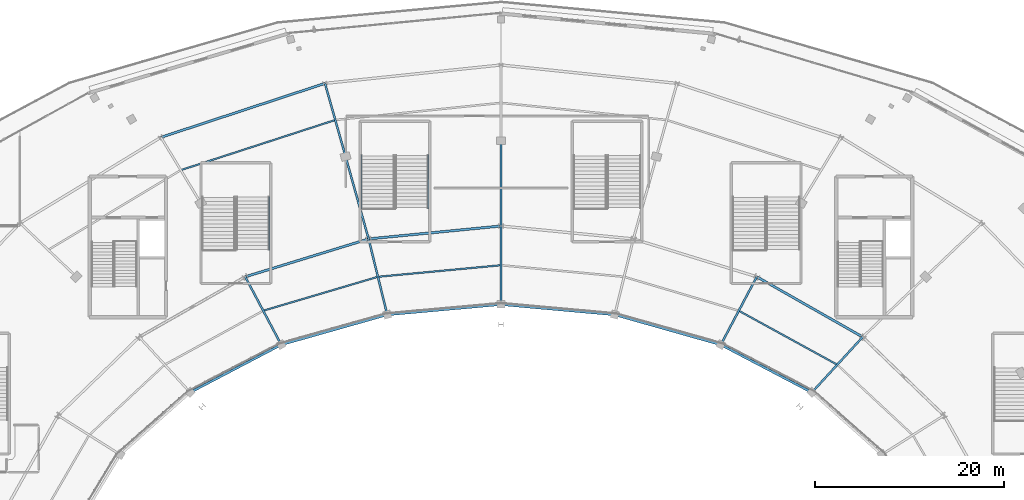
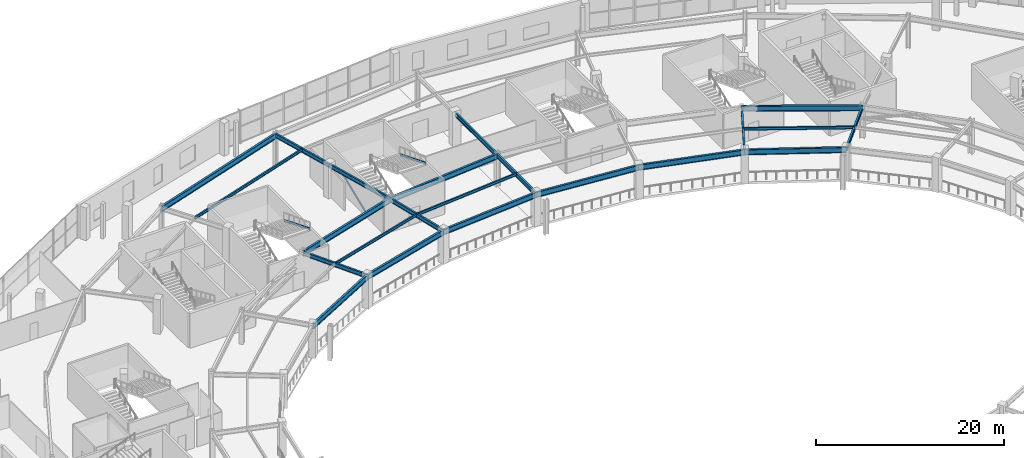
# One storey, part 33 of 107: 22 beams, 3 members.
"""IFC4 building model written with IfcOpenShell, lengths in metres."""

from ifc_helpers import new_model, si_unit, direction, frame, origin, origin_2d, place, context, subcontext, project, spatial, i_section, extrude, material, material_profile, profile_set, type_object, element, save


model = new_model("IFC4")

# Units and contexts
model_context = context("Model", 3, precision=1e-05, world=origin(), true_north=direction((0.0, 1.0)))
body_context = subcontext(model_context, "Body", "Model", "MODEL_VIEW")
ifc_project = project(units=[si_unit("LENGTHUNIT", "METRE"), si_unit("AREAUNIT", "SQUARE_METRE"), si_unit("VOLUMEUNIT", "CUBIC_METRE"), si_unit("PLANEANGLEUNIT", "RADIAN"), si_unit("MASSUNIT", "GRAM", prefix="KILO")], contexts=[model_context])

# Site, building, storey
site_placement = place(None, origin())
site = spatial("IfcSite", under=ifc_project, at=site_placement, CompositionType="ELEMENT")
building_placement = place(site_placement, origin())
building = spatial("IfcBuilding", under=site, at=building_placement, Name="Kalgoora Escarpment Arena", CompositionType="ELEMENT")
storey_placement = place(building_placement, frame((0.0, 0.0, 5.39990234375)))
storey = spatial("IfcBuildingStorey", under=building, at=storey_placement, Name="L01", CompositionType="ELEMENT", Elevation=5.39990234375)

# Beams
ifc_material_1 = material(Name="Structural steel AS/NZS 3679 (300 MPa)", Category="steel")
ifc_material_profile_1 = material_profile(ifc_material_1, i_section(OverallWidth=0.1708984375, OverallDepth=0.35205078125, WebThickness=0.0068359375, FlangeThickness=0.009765625, at=origin_2d()))
ifc_profile_set_1 = profile_set([ifc_material_profile_1], Name="Structural steel AS/NZS 3679 (300 MPa)")
beam_type_1 = type_object("IfcBeamType", Name="BM-BEAM-360UB44.7", PredefinedType="BEAM", material=ifc_profile_set_1)
beam_1_placement = place(storey_placement, frame((127.900390625, 89.35693359375, 4.044189453125), z_axis=(-0.87693223227, 0.480614044744, 0.0), x_axis=(-0.480614044744, -0.87693223227, 0.0)))
element("IfcBeam", 1, at=beam_1_placement, inside=storey, type_object=beam_type_1, Name="L01 Concourse secondary ring beam 360UB44.7", PredefinedType="BEAM", context=body_context, shape_type="SweptSolid", body=[
    extrude(i_section(OverallWidth=0.1708984375, OverallDepth=0.35205078125, WebThickness=0.0068359375, FlangeThickness=0.009765625, at=origin_2d()), origin(), (0.0, 0.0, 1.0), 11.857177734375),
])
beam_2_placement = place(storey_placement, frame((92.39990234375, 99.860107421875, 4.044189453125), z_axis=(-0.995605767353, -0.093643771891, 0.0), x_axis=(0.093643771891, -0.995605767353, 0.0)))
element("IfcBeam", 2, at=beam_2_placement, inside=storey, type_object=beam_type_1, Name="L01 Concourse secondary ring beam 360UB44.7", PredefinedType="BEAM", context=body_context, shape_type="SweptSolid", body=[
    extrude(i_section(OverallWidth=0.1708984375, OverallDepth=0.35205078125, WebThickness=0.0068359375, FlangeThickness=0.009765625, at=origin_2d()), origin(), (0.0, 0.0, 1.0), 13.05126953125),
])
beam_3_placement = place(storey_placement, frame((79.406005859375, 98.637939453125, 4.05419921875), z_axis=(-0.958914478104, -0.283695300775, 0.0), x_axis=(0.283695300775, -0.958914478104, 0.0)))
element("IfcBeam", 3, at=beam_3_placement, inside=storey, type_object=beam_type_1, Name="L01 Concourse secondary ring beam 360UB44.7", PredefinedType="BEAM", context=body_context, shape_type="SweptSolid", body=[
    extrude(i_section(OverallWidth=0.1708984375, OverallDepth=0.35205078125, WebThickness=0.0068359375, FlangeThickness=0.009765625, at=origin_2d()), origin(), (0.0, 0.0, 1.0), 12.627197265625),
])
beam_4_placement = place(storey_placement, frame((74.90380859375, 115.194091796875, 4.05419921875), z_axis=(-0.951103123122, -0.308873516489, 0.0), x_axis=(0.308873516489, -0.951103123122, 0.0)))
element("IfcBeam", 4, at=beam_4_placement, inside=storey, type_object=beam_type_1, Name="L01 Concourse secondary ring beam 360UB44.7", PredefinedType="BEAM", context=body_context, shape_type="SweptSolid", body=[
    extrude(i_section(OverallWidth=0.1708984375, OverallDepth=0.35205078125, WebThickness=0.0068359375, FlangeThickness=0.009765625, at=origin_2d()), origin(), (0.0, 0.0, 1.0), 17.141845703125),
])
ifc_material_2 = material(Name="Structural steel AS/NZS 3679 (300 MPa)", Category="steel")
ifc_material_profile_2 = material_profile(ifc_material_2, i_section(OverallWidth=0.208984375, OverallDepth=0.532958984375, WebThickness=0.01025390625, FlangeThickness=0.015625, at=origin_2d()))
ifc_profile_set_2 = profile_set([ifc_material_profile_2], Name="Structural steel AS/NZS 3679 (300 MPa)")
beam_type_2 = type_object("IfcBeamType", Name="BM-GIRDER-530UB92.4", PredefinedType="USERDEFINED", material=ifc_profile_set_2)
beam_5_placement = place(storey_placement, frame((125.216796875, 86.429443359375, 3.95361328125), z_axis=(0.675731588221, 0.737147760412, 0.0), x_axis=(-0.737147760412, 0.675731588221, 0.0)))
element("IfcBeam", 5, at=beam_5_placement, inside=storey, type_object=beam_type_2, Name="L01 Radial concourse girder 530UB92.4", ObjectType="GIRDER", PredefinedType="USERDEFINED", context=body_context, shape_type="SweptSolid", body=[
    extrude(i_section(OverallWidth=0.208984375, OverallDepth=0.532958984375, WebThickness=0.01025390625, FlangeThickness=0.015625, at=origin_2d()), origin(), (0.0, 0.0, 1.0), 7.9423828125),
])
beam_6_placement = place(storey_placement, frame((115.60498046875, 91.47021484375, 3.95361328125), z_axis=(0.467749454329, 0.883861102196, 0.0), x_axis=(-0.883861102196, 0.467749454329, 0.0)))
element("IfcBeam", 6, at=beam_6_placement, inside=storey, type_object=beam_type_2, Name="L01 Radial concourse girder 530UB92.4", ObjectType="GIRDER", PredefinedType="USERDEFINED", context=body_context, shape_type="SweptSolid", body=[
    extrude(i_section(OverallWidth=0.208984375, OverallDepth=0.532958984375, WebThickness=0.01025390625, FlangeThickness=0.015625, at=origin_2d()), origin(), (0.0, 0.0, 1.0), 8.113037109375),
])
beam_7_placement = place(storey_placement, frame((92.39990234375, 95.719970703125, 3.95361328125), z_axis=(0.0, 1.0, 0.0), x_axis=(-1.0, 0.0, 0.0)))
element("IfcBeam", 7, at=beam_7_placement, inside=storey, type_object=beam_type_2, Name="L01 Radial concourse girder 530UB92.4", ObjectType="GIRDER", PredefinedType="USERDEFINED", context=body_context, shape_type="SweptSolid", body=[
    extrude(i_section(OverallWidth=0.208984375, OverallDepth=0.532958984375, WebThickness=0.01025390625, FlangeThickness=0.015625, at=origin_2d()), origin(), (0.0, 0.0, 1.0), 8.280029296875),
])
beam_8_placement = place(storey_placement, frame((92.39990234375, 104.0, 3.95361328125), z_axis=(0.0, 1.0, 0.0), x_axis=(-1.0, 0.0, 0.0)))
element("IfcBeam", 8, at=beam_8_placement, inside=storey, type_object=beam_type_2, Name="L01 Radial concourse girder 530UB92.4", ObjectType="GIRDER", PredefinedType="USERDEFINED", context=body_context, shape_type="SweptSolid", body=[
    extrude(i_section(OverallWidth=0.208984375, OverallDepth=0.532958984375, WebThickness=0.01025390625, FlangeThickness=0.015625, at=origin_2d()), origin(), (0.0, 0.0, 1.0), 9.0),
])
beam_9_placement = place(storey_placement, frame((80.38818359375, 94.63916015625, 3.963623046875), z_axis=(-0.238522773309, 0.971136904156, 0.0), x_axis=(-0.971136904156, -0.238522773309, 0.0)))
element("IfcBeam", 9, at=beam_9_placement, inside=storey, type_object=beam_type_2, Name="L01 Radial concourse girder 530UB92.4", ObjectType="GIRDER", PredefinedType="USERDEFINED", context=body_context, shape_type="SweptSolid", body=[
    extrude(i_section(OverallWidth=0.208984375, OverallDepth=0.532958984375, WebThickness=0.01025390625, FlangeThickness=0.015625, at=origin_2d()), origin(), (0.0, 0.0, 1.0), 8.235595703125),
])
beam_10_placement = place(storey_placement, frame((78.423828125, 102.636962890625, 3.963623046875), z_axis=(-0.269498512386, 0.963000805722, 0.0), x_axis=(-0.963000805722, -0.269498512386, 0.0)))
element("IfcBeam", 10, at=beam_10_placement, inside=storey, type_object=beam_type_2, Name="L01 Radial concourse girder 530UB92.4", ObjectType="GIRDER", PredefinedType="USERDEFINED", context=body_context, shape_type="SweptSolid", body=[
    extrude(i_section(OverallWidth=0.208984375, OverallDepth=0.532958984375, WebThickness=0.01025390625, FlangeThickness=0.015625, at=origin_2d()), origin(), (0.0, 0.0, 1.0), 9.02734375),
])
beam_11_placement = place(storey_placement, frame((75.990966796875, 111.330322265625, 3.963623046875), z_axis=(-0.27082660355, 0.962628147734, 0.0), x_axis=(-0.962628147734, -0.27082660355, 0.0)))
element("IfcBeam", 11, at=beam_11_placement, inside=storey, type_object=beam_type_2, Name="L01 Radial concourse girder 530UB92.4", ObjectType="GIRDER", PredefinedType="USERDEFINED", context=body_context, shape_type="SweptSolid", body=[
    extrude(i_section(OverallWidth=0.208984375, OverallDepth=0.532958984375, WebThickness=0.01025390625, FlangeThickness=0.015625, at=origin_2d()), origin(), (0.0, 0.0, 1.0), 8.027587890625),
])
beam_12_placement = place(storey_placement, frame((69.195068359375, 91.47021484375, 3.963623046875), z_axis=(-0.467772961987, 0.883848661273, 0.0), x_axis=(-0.883848661273, -0.467772961987, 0.0)))
element("IfcBeam", 12, at=beam_12_placement, inside=storey, type_object=beam_type_2, Name="L01 Radial concourse girder 530UB92.4", ObjectType="GIRDER", PredefinedType="USERDEFINED", context=body_context, shape_type="SweptSolid", body=[
    extrude(i_section(OverallWidth=0.208984375, OverallDepth=0.532958984375, WebThickness=0.01025390625, FlangeThickness=0.015625, at=origin_2d()), origin(), (0.0, 0.0, 1.0), 8.11328125),
])
ifc_material_3 = material(Name="Structural steel AS/NZS 3679 (300 MPa)", Category="steel")
ifc_material_profile_3 = material_profile(ifc_material_3, i_section(OverallWidth=0.25, OverallDepth=0.699951171875, WebThickness=0.010009765625, FlangeThickness=0.02001953125, at=origin_2d()))
ifc_profile_set_3 = profile_set([ifc_material_profile_3], Name="Structural steel AS/NZS 3679 (300 MPa)")
beam_type_3 = type_object("IfcBeamType", Name="BM-GIRDER-700WB130", PredefinedType="USERDEFINED", material=ifc_profile_set_3)
beam_13_placement = place(storey_placement, frame((125.216796875, 86.429443359375, 3.8701171875), z_axis=(-0.88560380316, 0.464441496669, 0.0), x_axis=(-0.464441496669, -0.88560380316, 0.0)))
element("IfcBeam", 13, at=beam_13_placement, inside=storey, type_object=beam_type_3, Name="L01 Circumferential concourse girder RMID 700WB130", ObjectType="GIRDER", PredefinedType="USERDEFINED", context=body_context, shape_type="SweptSolid", body=[
    extrude(i_section(OverallWidth=0.25, OverallDepth=0.699951171875, WebThickness=0.010009765625, FlangeThickness=0.02001953125, at=origin_2d()), origin(), (0.0, 0.0, 1.0), 10.853515625),
])
beam_14_placement = place(storey_placement, frame((130.583740234375, 92.2841796875, 3.8701171875), z_axis=(-0.869373733104, 0.494155149917, 0.0), x_axis=(-0.494155149917, -0.869373733104, 0.0)))
element("IfcBeam", 14, at=beam_14_placement, inside=storey, type_object=beam_type_3, Name="L01 Circumferential concourse girder RMAIN 700WB130", ObjectType="GIRDER", PredefinedType="USERDEFINED", context=body_context, shape_type="SweptSolid", body=[
    extrude(i_section(OverallWidth=0.25, OverallDepth=0.699951171875, WebThickness=0.010009765625, FlangeThickness=0.02001953125, at=origin_2d()), origin(), (0.0, 0.0, 1.0), 12.8642578125),
])
beam_15_placement = place(storey_placement, frame((115.60498046875, 91.47021484375, 3.8701171875), z_axis=(-0.962181658824, 0.272408618482, 0.0), x_axis=(-0.272408618482, -0.962181658824, 0.0)))
element("IfcBeam", 15, at=beam_15_placement, inside=storey, type_object=beam_type_3, Name="L01 Circumferential concourse girder RMID 700WB130", ObjectType="GIRDER", PredefinedType="USERDEFINED", context=body_context, shape_type="SweptSolid", body=[
    extrude(i_section(OverallWidth=0.25, OverallDepth=0.699951171875, WebThickness=0.010009765625, FlangeThickness=0.02001953125, at=origin_2d()), origin(), (0.0, 0.0, 1.0), 11.633056640625),
])
beam_16_placement = place(storey_placement, frame((104.411865234375, 94.63916015625, 3.8701171875), z_axis=(-0.995976408486, 0.089615811881, 0.0), x_axis=(-0.089615811881, -0.995976408486, 0.0)))
element("IfcBeam", 16, at=beam_16_placement, inside=storey, type_object=beam_type_3, Name="L01 Circumferential concourse girder RMID 700WB130", ObjectType="GIRDER", PredefinedType="USERDEFINED", context=body_context, shape_type="SweptSolid", body=[
    extrude(i_section(OverallWidth=0.25, OverallDepth=0.699951171875, WebThickness=0.010009765625, FlangeThickness=0.02001953125, at=origin_2d()), origin(), (0.0, 0.0, 1.0), 12.060546875),
])
beam_17_placement = place(storey_placement, frame((92.39990234375, 95.719970703125, 3.8701171875), z_axis=(-0.99597624591, -0.089617618712, 0.0), x_axis=(0.089617618712, -0.99597624591, 0.0)))
element("IfcBeam", 17, at=beam_17_placement, inside=storey, type_object=beam_type_3, Name="L01 Circumferential concourse girder RMID 700WB130", ObjectType="GIRDER", PredefinedType="USERDEFINED", context=body_context, shape_type="SweptSolid", body=[
    extrude(i_section(OverallWidth=0.25, OverallDepth=0.699951171875, WebThickness=0.010009765625, FlangeThickness=0.02001953125, at=origin_2d()), origin(), (0.0, 0.0, 1.0), 12.060302734375),
])
beam_18_placement = place(storey_placement, frame((92.39990234375, 104.0, 3.8701171875), z_axis=(-0.995277952766, -0.097065940158, 0.0), x_axis=(0.097065940158, -0.995277952766, 0.0)))
element("IfcBeam", 18, at=beam_18_placement, inside=storey, type_object=beam_type_3, Name="L01 Circumferential concourse girder RMAIN 700WB130", ObjectType="GIRDER", PredefinedType="USERDEFINED", context=body_context, shape_type="SweptSolid", body=[
    extrude(i_section(OverallWidth=0.25, OverallDepth=0.699951171875, WebThickness=0.010009765625, FlangeThickness=0.02001953125, at=origin_2d()), origin(), (0.0, 0.0, 1.0), 14.04248046875),
])
beam_19_placement = place(storey_placement, frame((80.38818359375, 94.63916015625, 3.880126953125), z_axis=(-0.962181658824, -0.272408618482, 0.0), x_axis=(0.272408618482, -0.962181658824, 0.0)))
element("IfcBeam", 19, at=beam_19_placement, inside=storey, type_object=beam_type_3, Name="L01 Circumferential concourse girder RMID 700WB130", ObjectType="GIRDER", PredefinedType="USERDEFINED", context=body_context, shape_type="SweptSolid", body=[
    extrude(i_section(OverallWidth=0.25, OverallDepth=0.699951171875, WebThickness=0.010009765625, FlangeThickness=0.02001953125, at=origin_2d()), origin(), (0.0, 0.0, 1.0), 11.633056640625),
])
beam_20_placement = place(storey_placement, frame((78.423828125, 102.636962890625, 3.880126953125), z_axis=(-0.956016223512, -0.293313791666, 0.0), x_axis=(0.293313791666, -0.956016223512, 0.0)))
element("IfcBeam", 20, at=beam_20_placement, inside=storey, type_object=beam_type_3, Name="L01 Circumferential concourse girder RMAIN 700WB130", ObjectType="GIRDER", PredefinedType="USERDEFINED", context=body_context, shape_type="SweptSolid", body=[
    extrude(i_section(OverallWidth=0.25, OverallDepth=0.699951171875, WebThickness=0.010009765625, FlangeThickness=0.02001953125, at=origin_2d()), origin(), (0.0, 0.0, 1.0), 13.623046875),
])
beam_21_placement = place(storey_placement, frame((69.195068359375, 91.47021484375, 3.880126953125), z_axis=(-0.88560380316, -0.464441496669, 0.0), x_axis=(0.464441496669, -0.88560380316, 0.0)))
element("IfcBeam", 21, at=beam_21_placement, inside=storey, type_object=beam_type_3, Name="L01 Circumferential concourse girder RMID 700WB130", ObjectType="GIRDER", PredefinedType="USERDEFINED", context=body_context, shape_type="SweptSolid", body=[
    extrude(i_section(OverallWidth=0.25, OverallDepth=0.699951171875, WebThickness=0.010009765625, FlangeThickness=0.02001953125, at=origin_2d()), origin(), (0.0, 0.0, 1.0), 10.853515625),
])
ifc_material_4 = material(Name="Structural steel AS/NZS 3679 (300 MPa)", Category="steel")
ifc_material_profile_4 = material_profile(ifc_material_4, i_section(OverallWidth=0.25, OverallDepth=0.699951171875, WebThickness=0.010009765625, FlangeThickness=0.02001953125, at=origin_2d()))
ifc_profile_set_4 = profile_set([ifc_material_profile_4], Name="Structural steel AS/NZS 3679 (300 MPa)")
beam_type_4 = type_object("IfcBeamType", Name="BM-SPANDREL-700WB130", PredefinedType="SPANDREL", material=ifc_profile_set_4)
beam_22_placement = place(storey_placement, frame((73.81689453125, 119.057861328125, 3.880126953125), z_axis=(-0.949954555117, -0.312388129115, 0.0), x_axis=(0.312388129115, -0.949954555117, 0.0)))
element("IfcBeam", 22, at=beam_22_placement, inside=storey, type_object=beam_type_4, Name="L01 Circumferential concourse girder RCONC2 700WB130", PredefinedType="SPANDREL", context=body_context, shape_type="SweptSolid", body=[
    extrude(i_section(OverallWidth=0.25, OverallDepth=0.699951171875, WebThickness=0.010009765625, FlangeThickness=0.02001953125, at=origin_2d()), origin(), (0.0, 0.0, 1.0), 18.229248046875),
])

# Members
ifc_material_5 = material(Name="Structural steel AS/NZS 3679 (300 MPa)", Category="steel")
ifc_material_profile_5 = material_profile(ifc_material_5, i_section(OverallWidth=0.090087890625, OverallDepth=0.300048828125, WebThickness=0.008056640625, FlangeThickness=0.01611328125, at=origin_2d()))
ifc_profile_set_5 = profile_set([ifc_material_profile_5], Name="Structural steel AS/NZS 3679 (300 MPa)")
member_type = type_object("IfcMemberType", Name="MEM-STRINGER-PFC", PredefinedType="STRINGER", material=ifc_profile_set_5)
for number, where, z_axis, x_axis, name in (
    (23, (67.929931640625, 107.050048828125, 2.210205078125), (0.0, -0.926975796404, 0.375121144273), (1.0, 0.0, 0.0), "ST09 L01 steel stair stringer 2"),
    (24, (77.669921875, 105.889892578125, -0.039794921875), (0.0, 0.926975796404, 0.375121144273), (-1.0, 0.0, 0.0), "ST10 L01 steel stair stringer 1"),
    (25, (84.72998046875, 111.449951171875, 2.210205078125), (0.0, -0.926975796404, 0.375121144273), (1.0, 0.0, 0.0), "ST10 L01 steel stair stringer 2"),
):
    element("IfcMember", number, at=place(storey_placement, frame(where, z_axis=z_axis, x_axis=x_axis)), inside=storey, type_object=member_type, Name=name, PredefinedType="STRINGER", context=body_context, shape_type="SweptSolid", body=[
        extrude(i_section(OverallWidth=0.090087890625, OverallDepth=0.300048828125, WebThickness=0.008056640625, FlangeThickness=0.01611328125, at=origin_2d()), origin(), (0.0, 0.0, 1.0), 5.998046875),
    ])

save(model, "model.ifc")
